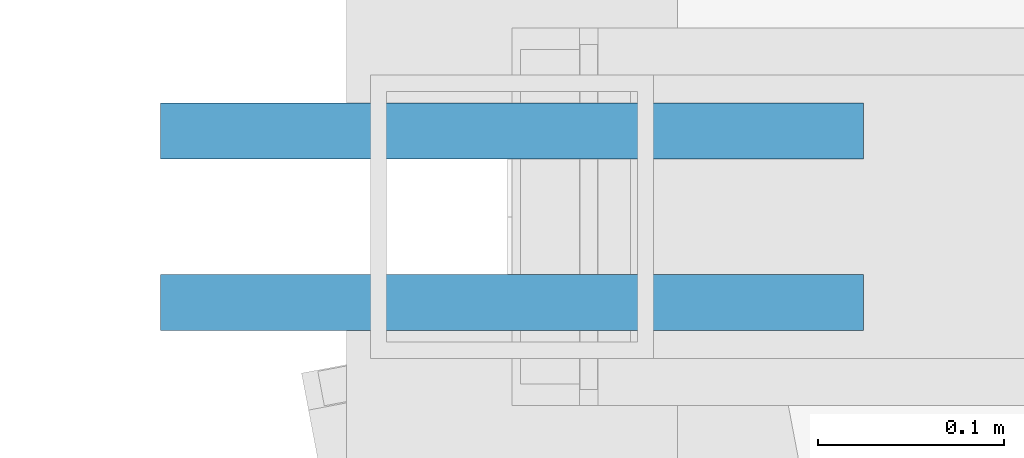
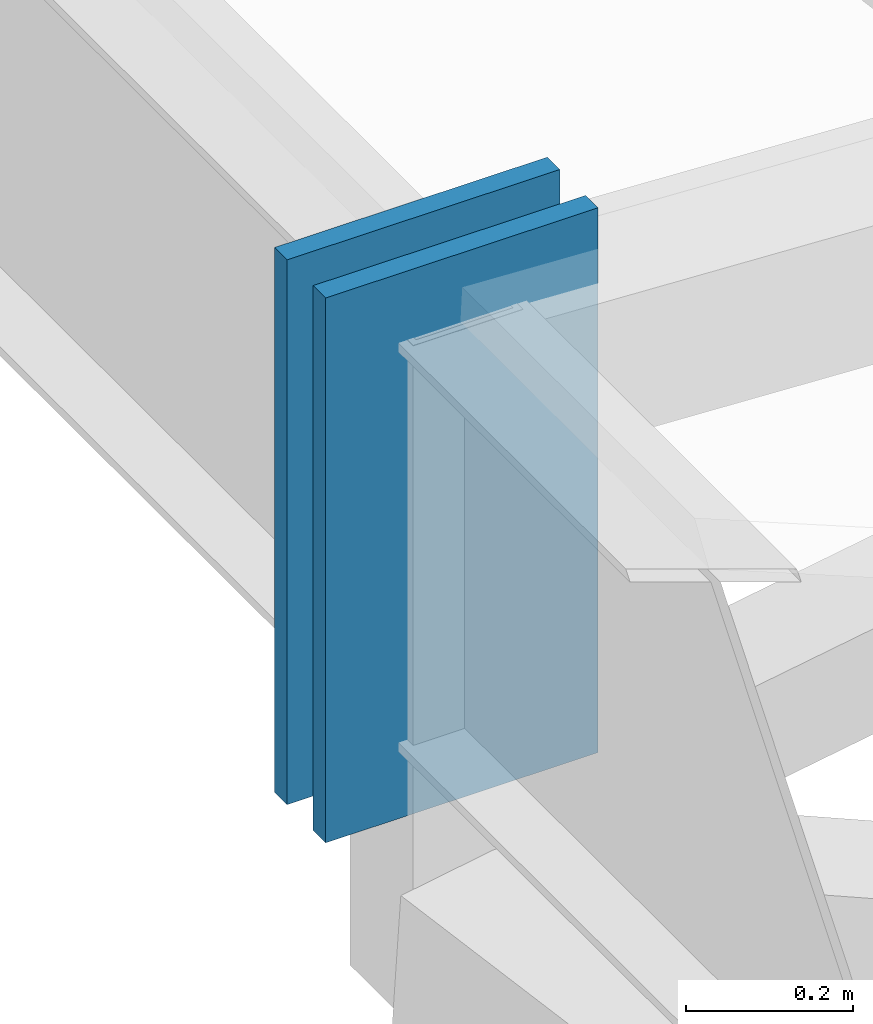
# One storey, part 188 of 278: 2 discrete accessories.
"""IFC4 building model written with IfcOpenShell, lengths in metres."""

from ifc_helpers import new_model, si_unit, direction, frame, origin, origin_2d, place, context, subcontext, project, spatial, rectangle, extrude, material, layer, layer_set, type_object, element, save


model = new_model("IFC4")

# Units and contexts
model_context = context("Model", 3, precision=1e-05, world=origin(), true_north=direction((0.0, 1.0)))
body_context = subcontext(model_context, "Body", "Model", "MODEL_VIEW")
ifc_project = project(units=[si_unit("LENGTHUNIT", "METRE"), si_unit("AREAUNIT", "SQUARE_METRE"), si_unit("VOLUMEUNIT", "CUBIC_METRE"), si_unit("PLANEANGLEUNIT", "RADIAN"), si_unit("MASSUNIT", "GRAM", prefix="KILO")], contexts=[model_context])

# Site, building, storey
site_placement = place(None, origin())
site = spatial("IfcSite", under=ifc_project, at=site_placement, CompositionType="ELEMENT")
building_placement = place(site_placement, origin())
building = spatial("IfcBuilding", under=site, at=building_placement, Name="Ogive Plaza Stadium", CompositionType="ELEMENT")
storey_placement = place(building_placement, frame((0.0, 0.0, 29.0)))
storey = spatial("IfcBuildingStorey", under=building, at=storey_placement, Name="Roof", CompositionType="ELEMENT", Elevation=29.0)

# Discrete accessories
ifc_material = material(Name="Steel ASTM A992 Grade 50", Category="steel")
ifc_layer = layer(ifc_material, 0.030029296875)
ifc_layer_set = layer_set([ifc_layer], Name="Steel ASTM A992 Grade 50")
discrete_accessory_type = type_object("IfcDiscreteAccessoryType", Name="Ring beam end plate 30", PredefinedType="ANCHORPLATE", material=ifc_layer_set)
for number, where, z_axis, x_axis, name in (
    (1, (45.5, -37.453857421875, 6.7265625), (0.0, 0.0, 1.0), (0.0, -1.0, 0.0), "RING BEAM END PLATE B06 2"),
    (2, (45.5, -37.546142578125, 6.7265625), (0.0, 0.0, 1.0), (0.0, -1.0, 0.0), "RING BEAM END PLATE B07 1"),
):
    element("IfcDiscreteAccessory", number, at=place(storey_placement, frame(where, z_axis=z_axis, x_axis=x_axis)), inside=storey, type_object=discrete_accessory_type, Name=name, PredefinedType="ANCHORPLATE", context=body_context, shape_type="SweptSolid", body=[
        extrude(rectangle(XDim=0.030029296875, YDim=0.3779296875, at=origin_2d()), origin(), (0.0, 0.0, 1.0), 0.798583984375),
    ])

save(model, "model.ifc")
